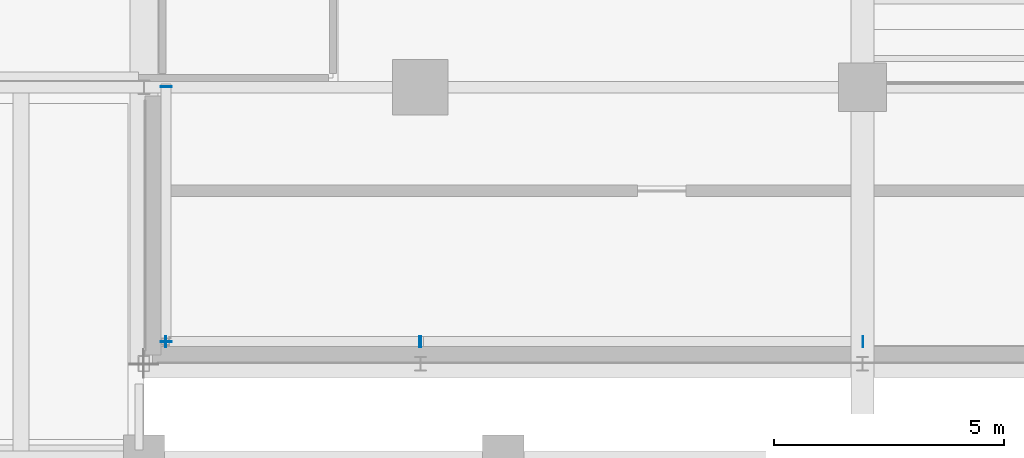
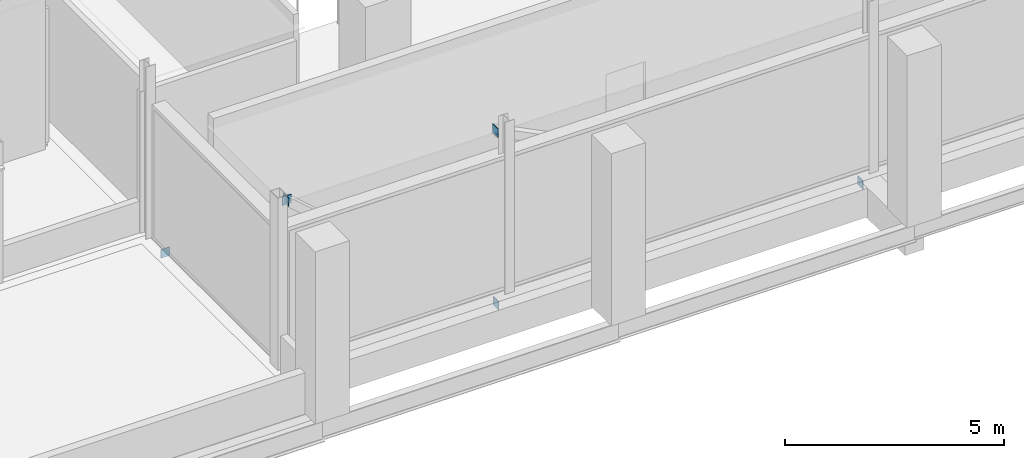
# One storey, part 81 of 102: 6 plates.
"""IFC4 building model written with IfcOpenShell, lengths in metres."""

import ifcopenshell
import ifcopenshell.guid

model = None  # the IFC model being written
_history = None  # IfcOwnerHistory: only IFC2X3 demands one
_inside = {}  # id of a spatial element -> (the spatial element, [elements in it])
_under = {}  # id of a project, library or spatial element -> (it, [spatial elements below it])
_declared = {}  # id of a project -> (the project, [libraries it declares])
_typed = {}  # id of a type object -> (the type object, [elements of that type])
_made_of = {}  # id of a material, layer set ... -> (it, [elements and type objects made of it])


def new_model(schema):
    """Start an empty IFC model of exactly this schema.

    Asked for "IFC4X3", IfcOpenShell would pick the latest addendum, in which some entities
    have other attributes; the version numbers below select the first issue.
    IFC2X3 requires an IfcOwnerHistory on every rooted entity: one is made here for all.
    """
    global model, _history
    if schema == "IFC4X3":
        model = ifcopenshell.file(schema_version=(4, 3, 0, 0))
    else:
        model = ifcopenshell.file(schema=schema)
    _inside.clear()
    _under.clear()
    _declared.clear()
    _typed.clear()
    _made_of.clear()
    _history = None
    if model.schema == "IFC2X3":
        org = make("IfcOrganization", Name="unknown")
        user = make(
            "IfcPersonAndOrganization",
            ThePerson=make("IfcPerson", FamilyName="unknown"),
            TheOrganization=org,
        )
        app = make(
            "IfcApplication",
            ApplicationDeveloper=org,
            Version="unknown",
            ApplicationFullName="unknown",
            ApplicationIdentifier="unknown",
        )
        _history = make(
            "IfcOwnerHistory",
            OwningUser=user,
            OwningApplication=app,
            ChangeAction="ADDED",
            CreationDate=0,
        )
    return model


def make(cls, **values):
    """One entity of the class cls with the attributes given. An attribute that is None is left unset."""
    return model.create_entity(
        cls, **{name: value for name, value in values.items() if value is not None}
    )


def rooted(cls, **values):
    """An entity with a GlobalId (a new one), such as an element, a storey or a relation."""
    return make(cls, GlobalId=ifcopenshell.guid.new(), OwnerHistory=_history, **values)


def si_unit(unit_type, name, prefix=None):
    """IfcSIUnit, for example si_unit("LENGTHUNIT", "METRE", prefix="MILLI")."""
    return make("IfcSIUnit", UnitType=unit_type, Prefix=prefix, Name=name)


def derived_unit(unit_type, elements):
    """IfcDerivedUnit: a product of units, each with its exponent."""
    return make(
        "IfcDerivedUnit",
        Elements=[
            make("IfcDerivedUnitElement", Unit=unit, Exponent=power)
            for unit, power in elements
        ],
        UnitType=unit_type,
    )


def assignment(units):
    """IfcUnitAssignment: the units of a project."""
    return None if units is None else make("IfcUnitAssignment", Units=units)


def point(xyz):
    """IfcCartesianPoint."""
    return None if xyz is None else make("IfcCartesianPoint", Coordinates=xyz)


def direction(xyz):
    """IfcDirection."""
    return None if xyz is None else make("IfcDirection", DirectionRatios=xyz)


def frame(location, z_axis=None, x_axis=None):
    """IfcAxis2Placement3D, a coordinate frame: its origin and axes. An axis left out is left unset."""
    return make(
        "IfcAxis2Placement3D",
        Location=point(location),
        Axis=direction(z_axis),
        RefDirection=direction(x_axis),
    )


def frame_2d(location, x_axis=None):
    """IfcAxis2Placement2D, a coordinate frame in the plane: its origin and x axis."""
    return make(
        "IfcAxis2Placement2D", Location=point(location), RefDirection=direction(x_axis)
    )


def origin():
    """The frame at (0, 0, 0) with its axes left unset."""
    return frame((0.0, 0.0, 0.0))


def origin_2d():
    """The frame at (0, 0) in the plane with its x axis left unset."""
    return frame_2d((0.0, 0.0))


def place(relative_to, where):
    """IfcLocalPlacement: puts the frame where relative to a parent placement (None: the world)."""
    return make(
        "IfcLocalPlacement", PlacementRelTo=relative_to, RelativePlacement=where
    )


def context(
    kind, dimensions, precision=None, world=None, true_north=None, identifier=None
):
    """IfcGeometricRepresentationContext, for example the 3D "Model" context."""
    return make(
        "IfcGeometricRepresentationContext",
        ContextIdentifier=identifier,
        ContextType=kind,
        CoordinateSpaceDimension=dimensions,
        Precision=precision,
        WorldCoordinateSystem=world,
        TrueNorth=true_north,
    )


def subcontext(parent, identifier, kind, view, scale=None):
    """IfcGeometricRepresentationSubContext, for example "Body" below "Model"."""
    return make(
        "IfcGeometricRepresentationSubContext",
        ContextIdentifier=identifier,
        ContextType=kind,
        ParentContext=parent,
        TargetScale=scale,
        TargetView=view,
    )


def project(units=None, contexts=None):
    """IfcProject with its units and contexts."""
    return rooted(
        "IfcProject",
        Name="project",
        RepresentationContexts=contexts,
        UnitsInContext=assignment(units),
    )


def spatial(cls, under=None, at=None, **own):
    """A site, building, storey or space (cls), placed at a placement, below another one or the project."""
    s = rooted(cls, ObjectPlacement=at, **own)
    if under is not None:
        _under.setdefault(under.id(), (under, []))[1].append(s)
    return s


def profile(cls, at=None, kind="AREA", **sizes):
    """A parametric profile (cls). Its sizes go by their IFC names, for example OverallWidth=200.0."""
    return make(cls, ProfileType=kind, Position=at, **sizes)


def rectangle(**sizes):
    """IfcRectangleProfileDef."""
    return profile("IfcRectangleProfileDef", **sizes)


def extrude(swept, where, along, depth):
    """IfcExtrudedAreaSolid: the profile swept, set in the frame where, extruded along a direction by depth."""
    return make(
        "IfcExtrudedAreaSolid",
        SweptArea=swept,
        Position=where,
        ExtrudedDirection=direction(along),
        Depth=depth,
    )


def shape(context_of_items, identifier, shape_type, items):
    """IfcShapeRepresentation: the items that make up one representation, for example the "Body"."""
    return make(
        "IfcShapeRepresentation",
        ContextOfItems=context_of_items,
        RepresentationIdentifier=identifier,
        RepresentationType=shape_type,
        Items=items,
    )


def material(Name=None, Category=None):
    """IfcMaterial."""
    return make("IfcMaterial", Name=Name, Category=Category)


def layer(
    of_material, thickness, ventilated=None, Name=None, Category=None, Priority=None
):
    """IfcMaterialLayer: one layer of a wall or slab, of a material (None: an air gap)."""
    return make(
        "IfcMaterialLayer",
        Material=of_material,
        LayerThickness=thickness,
        IsVentilated=ventilated,
        Name=Name,
        Category=Category,
        Priority=Priority,
    )


def layer_set(layers, Name=None):
    """IfcMaterialLayerSet."""
    return make("IfcMaterialLayerSet", MaterialLayers=layers, LayerSetName=Name)


def made_of(thing, what):
    """Note that an element or type object is made of a material, layer set ...; save() writes the relation."""
    if what is not None:
        _made_of.setdefault(what.id(), (what, []))[1].append(thing)
    return thing


def type_object(cls, material=None, **own):
    """A type object (cls), such as IfcWallType, which elements share."""
    return made_of(rooted(cls, **own), material)


def element(
    cls,
    number,
    at=None,
    inside=None,
    cuts=None,
    type_object=None,
    material=None,
    context=None,
    identifier="Body",
    shape_type=None,
    held_by="IfcProductDefinitionShape",
    body=None,
    shapes=None,
    **own,
):
    """One element of the class cls, such as IfcWall. Its Tag is "e" and its number.

    at: its placement. inside: the storey or other place that contains it. cuts: it is an
    opening in that element (IfcRelVoidsElement). A single representation is given by context,
    identifier, shape_type and body (its items); several are given by shapes. held_by: the class
    of the entity that holds the representations. save() writes the other relations.
    """
    e = rooted(cls, Tag="e%d" % number, ObjectPlacement=at, **own)
    if body is not None:
        shapes = [shape(context, identifier, shape_type, body)]
    if shapes is not None:
        e.Representation = make(held_by, Representations=shapes)
    if inside is not None:
        _inside.setdefault(inside.id(), (inside, []))[1].append(e)
    if cuts is not None:
        rooted(
            "IfcRelVoidsElement", RelatingBuildingElement=cuts, RelatedOpeningElement=e
        )
    if type_object is not None:
        _typed.setdefault(type_object.id(), (type_object, []))[1].append(e)
    return made_of(e, material)


def aggregate(whole, parts):
    """IfcRelAggregates: a whole, such as a stair, and the parts it consists of."""
    return rooted("IfcRelAggregates", RelatingObject=whole, RelatedObjects=parts)


def save(model, path):
    """Write the relations noted so far, then the file.

    IfcRelAggregates (storeys below a building ...), IfcRelContainedInSpatialStructure (elements
    in a storey), IfcRelDefinesByType, IfcRelAssociatesMaterial and IfcRelDeclares: one each for
    every whole, place, type object, material and project.
    """
    for whole, parts in _under.values():
        aggregate(whole, parts)
    for where, things in _inside.values():
        rooted(
            "IfcRelContainedInSpatialStructure",
            RelatedElements=things,
            RelatingStructure=where,
        )
    for kind, things in _typed.values():
        rooted("IfcRelDefinesByType", RelatedObjects=things, RelatingType=kind)
    for what, things in _made_of.values():
        rooted("IfcRelAssociatesMaterial", RelatedObjects=things, RelatingMaterial=what)
    for by, libraries in _declared.values():
        rooted("IfcRelDeclares", RelatingContext=by, RelatedDefinitions=libraries)
    model.write(path)


model = new_model("IFC4")

# Units and contexts
model_context = context("Model", 3, precision=1e-05, world=origin(), true_north=direction((0.0, 1.0)))
body_context = subcontext(model_context, "Body", "Model", "MODEL_VIEW")
ifc_project = project(units=[si_unit("LENGTHUNIT", "METRE"), si_unit("AREAUNIT", "SQUARE_METRE"), si_unit("VOLUMEUNIT", "CUBIC_METRE"), si_unit("PLANEANGLEUNIT", "RADIAN"), si_unit("MASSUNIT", "GRAM", prefix="KILO"), derived_unit("THERMALTRANSMITTANCEUNIT", [(si_unit("POWERUNIT", "WATT"), 1), (si_unit("LENGTHUNIT", "METRE"), -2), (si_unit("THERMODYNAMICTEMPERATUREUNIT", "KELVIN"), -1)])], contexts=[model_context])

# Site, building, storey
site_placement = place(None, origin())
site = spatial("IfcSite", under=ifc_project, at=site_placement, CompositionType="ELEMENT")
building_placement = place(site_placement, origin())
building = spatial("IfcBuilding", under=site, at=building_placement, Name="Nallur Shell Playhouse", CompositionType="ELEMENT")
storey_placement = place(building_placement, frame((0.0, 0.0, 15.0)))
storey = spatial("IfcBuildingStorey", under=building, at=storey_placement, Name="L04", CompositionType="ELEMENT", Elevation=15.0)

# Plates
ifc_material = material(Name="Steel E350", Category="steel")
ifc_layer = layer(ifc_material, 0.02001953125)
ifc_layer_set = layer_set([ifc_layer], Name="Steel E350")
plate_type = type_object("IfcPlateType", Name="PT-ENDCAP-20", PredefinedType="SHEET", material=ifc_layer_set)
for number, where, z_axis, x_axis, name in (
    (1, (64.47998046875, 16.007568359375, -0.78662109375), (0.0, 0.0, 1.0), (1.0, 0.0, 0.0), "Hollow end cap EC-GBD-L04-1-A"),
    (2, (64.47998046875, 10.472412109375, 4.03662109375), (0.0, 0.0, 1.0), (1.0, 0.0, 0.0), "Hollow end cap EC-GBD-L04-1-B"),
):
    element("IfcPlate", number, at=place(storey_placement, frame(where, z_axis=z_axis, x_axis=x_axis)), inside=storey, type_object=plate_type, Name=name, PredefinedType="SHEET", context=body_context, shape_type="SweptSolid", body=[
        extrude(rectangle(XDim=0.239990234375, YDim=0.02001953125, at=origin_2d()), origin(), (0.0, 0.0, 1.0), 0.239990234375),
    ])
for number, where, z_axis, x_axis, name in (
    (3, (70.007568359375, 10.47998046875, -0.78662109375), (0.0, 0.0, 1.0), (1.0, 0.0, 0.0), "Hollow end cap EC-GBD-L04-5-A"),
    (4, (64.472412109375, 10.47998046875, 4.03662109375), (0.0, 0.0, 1.0), (1.0, 0.0, 0.0), "Hollow end cap EC-GBD-L04-5-B"),
    (5, (79.60888671875, 10.47998046875, -0.78466796875), (0.0, 0.0, 1.0), (1.0, 0.0, 0.0), "Hollow end cap EC-GBD-L04-6-A"),
    (6, (69.990966796875, 10.47998046875, 4.03466796875), (0.0, 0.0, 1.0), (1.0, 0.0, 0.0), "Hollow end cap EC-GBD-L04-6-B"),
):
    element("IfcPlate", number, at=place(storey_placement, frame(where, z_axis=z_axis, x_axis=x_axis)), inside=storey, type_object=plate_type, Name=name, PredefinedType="SHEET", context=body_context, shape_type="SweptSolid", body=[
        extrude(rectangle(XDim=0.02001953125, YDim=0.239990234375, at=origin_2d()), origin(), (0.0, 0.0, 1.0), 0.239990234375),
    ])

save(model, "model.ifc")
